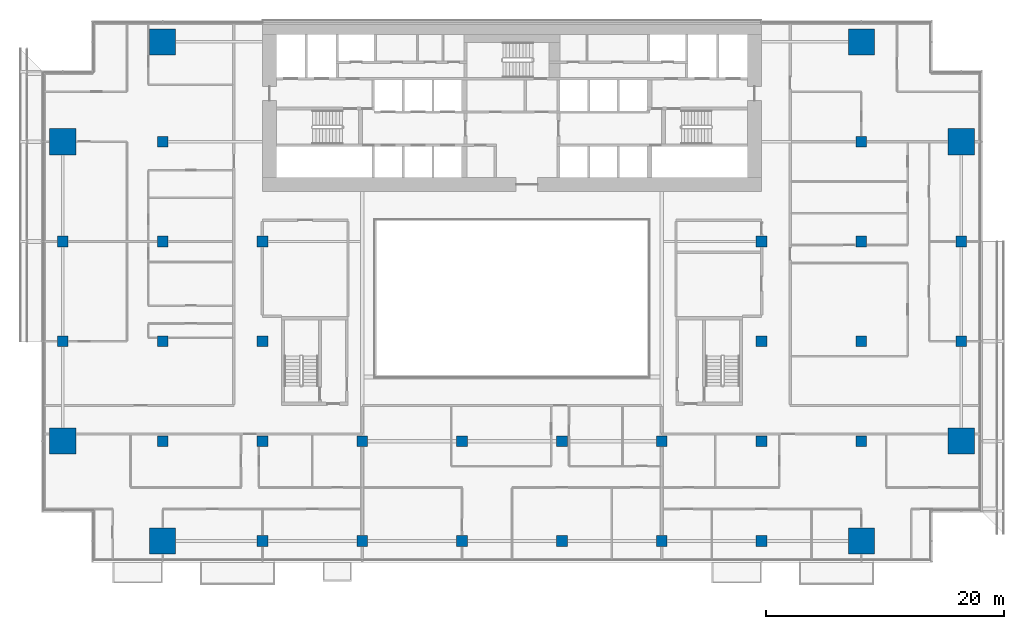
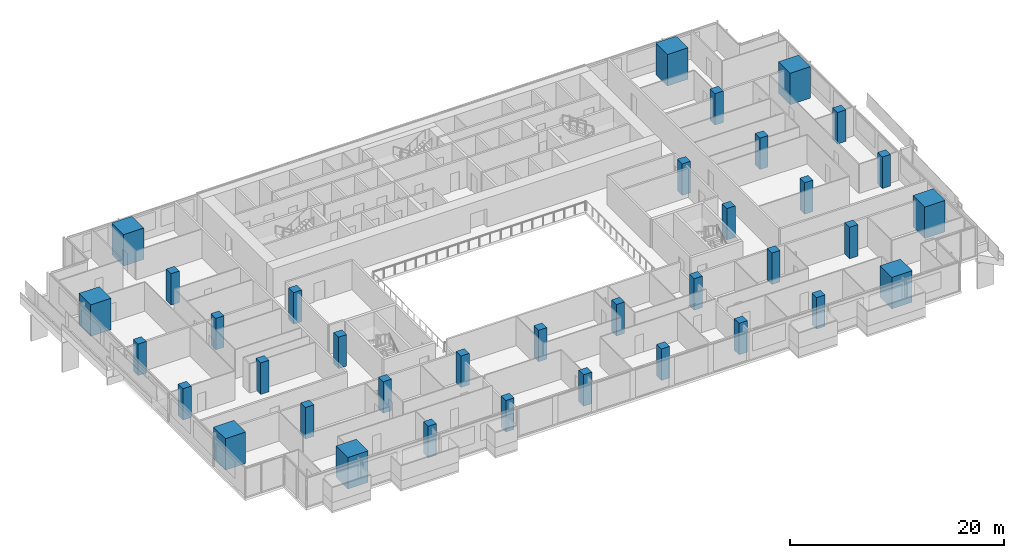
# One storey, part 1 of 28: 36 columns.
"""IFC4 building model written with IfcOpenShell, lengths in metres."""

from ifc_helpers import new_model, si_unit, direction, frame, origin, origin_2d, place, context, subcontext, project, spatial, rectangle, extrude, material, material_profile, profile_set, type_object, element, save


model = new_model("IFC4")

# Units and contexts
model_context = context("Model", 3, precision=1e-05, world=origin(), true_north=direction((0.0, 1.0)))
body_context = subcontext(model_context, "Body", "Model", "MODEL_VIEW")
ifc_project = project(units=[si_unit("LENGTHUNIT", "METRE"), si_unit("AREAUNIT", "SQUARE_METRE"), si_unit("VOLUMEUNIT", "CUBIC_METRE"), si_unit("PLANEANGLEUNIT", "RADIAN"), si_unit("MASSUNIT", "GRAM", prefix="KILO")], contexts=[model_context])

# Site, building, storey
site_placement = place(None, origin())
site = spatial("IfcSite", under=ifc_project, at=site_placement, CompositionType="ELEMENT")
building_placement = place(site_placement, origin())
building = spatial("IfcBuilding", under=site, at=building_placement, Name="Saffron Gate Tower", CompositionType="ELEMENT")
storey_placement = place(building_placement, frame((0.0, 0.0, 51.60009765625)))
storey = spatial("IfcBuildingStorey", under=building, at=storey_placement, Name="L11", CompositionType="ELEMENT", Elevation=51.60009765625)

# Columns
ifc_material_1 = material(Name="Concrete C60", Category="concrete")
ifc_material_profile_1 = material_profile(ifc_material_1, rectangle(XDim=0.89990234375, YDim=0.89990234375, at=origin_2d()))
ifc_profile_set_1 = profile_set([ifc_material_profile_1], Name="Concrete C60")
column_type_1 = type_object("IfcColumnType", Name="C6 RC 900x900 CONCRETE C60", PredefinedType="COLUMN", material=ifc_profile_set_1)
for number, where, z_axis, x_axis, name in (
    (1, (49.800048828125, 48.60009765625, 0.0), (0.0, 0.0, 1.0), (1.0, 0.0, 0.0), "C6 COLUMN X1-C"),
    (2, (49.800048828125, 57.0, 0.0), (0.0, 0.0, 1.0), (1.0, 0.0, 0.0), "C6 COLUMN X1-D"),
    (3, (58.199951171875, 40.199951171875, 0.0), (0.0, 0.0, 1.0), (1.0, 0.0, 0.0), "C6 COLUMN X2-B"),
    (4, (58.199951171875, 48.60009765625, 0.0), (0.0, 0.0, 1.0), (1.0, 0.0, 0.0), "C6 COLUMN X2-C"),
    (5, (58.199951171875, 57.0, 0.0), (0.0, 0.0, 1.0), (1.0, 0.0, 0.0), "C6 COLUMN X2-D"),
    (6, (58.199951171875, 65.39990234375, 0.0), (0.0, 0.0, 1.0), (1.0, 0.0, 0.0), "C6 COLUMN X2-E"),
    (7, (66.60009765625, 31.800048828125, 0.0), (0.0, 0.0, 1.0), (1.0, 0.0, 0.0), "C6 COLUMN X3-A"),
    (8, (66.60009765625, 40.199951171875, 0.0), (0.0, 0.0, 1.0), (1.0, 0.0, 0.0), "C6 COLUMN X3-B"),
    (9, (66.60009765625, 48.60009765625, 0.0), (0.0, 0.0, 1.0), (1.0, 0.0, 0.0), "C6 COLUMN X3-C"),
    (10, (66.60009765625, 57.0, 0.0), (0.0, 0.0, 1.0), (1.0, 0.0, 0.0), "C6 COLUMN X3-D"),
    (11, (75.0, 31.800048828125, 0.0), (0.0, 0.0, 1.0), (1.0, 0.0, 0.0), "C6 COLUMN X4-A"),
    (12, (75.0, 40.199951171875, 0.0), (0.0, 0.0, 1.0), (1.0, 0.0, 0.0), "C6 COLUMN X4-B"),
    (13, (83.39990234375, 31.800048828125, 0.0), (0.0, 0.0, 1.0), (1.0, 0.0, 0.0), "C6 COLUMN X5-A"),
    (14, (83.39990234375, 40.199951171875, 0.0), (0.0, 0.0, 1.0), (1.0, 0.0, 0.0), "C6 COLUMN X5-B"),
    (15, (91.800048828125, 31.800048828125, 0.0), (0.0, 0.0, 1.0), (1.0, 0.0, 0.0), "C6 COLUMN X6-A"),
    (16, (91.800048828125, 40.199951171875, 0.0), (0.0, 0.0, 1.0), (1.0, 0.0, 0.0), "C6 COLUMN X6-B"),
    (17, (100.199951171875, 31.800048828125, 0.0), (0.0, 0.0, 1.0), (1.0, 0.0, 0.0), "C6 COLUMN X7-A"),
    (18, (100.199951171875, 40.199951171875, 0.0), (0.0, 0.0, 1.0), (1.0, 0.0, 0.0), "C6 COLUMN X7-B"),
    (19, (108.60009765625, 31.800048828125, 0.0), (0.0, 0.0, 1.0), (1.0, 0.0, 0.0), "C6 COLUMN X8-A"),
    (20, (108.60009765625, 40.199951171875, 0.0), (0.0, 0.0, 1.0), (1.0, 0.0, 0.0), "C6 COLUMN X8-B"),
    (21, (108.60009765625, 48.60009765625, 0.0), (0.0, 0.0, 1.0), (1.0, 0.0, 0.0), "C6 COLUMN X8-C"),
    (22, (108.60009765625, 57.0, 0.0), (0.0, 0.0, 1.0), (1.0, 0.0, 0.0), "C6 COLUMN X8-D"),
    (23, (117.0, 40.199951171875, 0.0), (0.0, 0.0, 1.0), (1.0, 0.0, 0.0), "C6 COLUMN X9-B"),
    (24, (117.0, 48.60009765625, 0.0), (0.0, 0.0, 1.0), (1.0, 0.0, 0.0), "C6 COLUMN X9-C"),
    (25, (117.0, 57.0, 0.0), (0.0, 0.0, 1.0), (1.0, 0.0, 0.0), "C6 COLUMN X9-D"),
    (26, (117.0, 65.39990234375, 0.0), (0.0, 0.0, 1.0), (1.0, 0.0, 0.0), "C6 COLUMN X9-E"),
    (27, (125.39990234375, 48.60009765625, 0.0), (0.0, 0.0, 1.0), (1.0, 0.0, 0.0), "C6 COLUMN X10-C"),
    (28, (125.39990234375, 57.0, 0.0), (0.0, 0.0, 1.0), (1.0, 0.0, 0.0), "C6 COLUMN X10-D"),
):
    element("IfcColumn", number, at=place(storey_placement, frame(where, z_axis=z_axis, x_axis=x_axis)), inside=storey, type_object=column_type_1, Name=name, PredefinedType="COLUMN", context=body_context, shape_type="SweptSolid", body=[
        extrude(rectangle(XDim=0.89990234375, YDim=0.89990234375, at=origin_2d()), origin(), (0.0, 0.0, 1.0), 3.599853515625),
    ])
ifc_material_2 = material(Name="Concrete C80", Category="concrete")
ifc_material_profile_2 = material_profile(ifc_material_2, rectangle(XDim=2.199951171875, YDim=2.199951171875, at=origin_2d()))
ifc_profile_set_2 = profile_set([ifc_material_profile_2], Name="Concrete C80")
column_type_2 = type_object("IfcColumnType", Name="MC4 RC 2200x2200 CONCRETE C80", PredefinedType="COLUMN", material=ifc_profile_set_2)
for number, where, z_axis, x_axis, name in (
    (29, (49.800048828125, 40.199951171875, 0.0), (0.0, 0.0, 1.0), (1.0, 0.0, 0.0), "MC4 MEGA COLUMN X1-B"),
    (30, (49.800048828125, 65.39990234375, 0.0), (0.0, 0.0, 1.0), (1.0, 0.0, 0.0), "MC4 MEGA COLUMN X1-E"),
    (31, (58.199951171875, 31.800048828125, 0.0), (0.0, 0.0, 1.0), (1.0, 0.0, 0.0), "MC4 MEGA COLUMN X2-A"),
    (32, (58.199951171875, 73.800048828125, 0.0), (0.0, 0.0, 1.0), (1.0, 0.0, 0.0), "MC4 MEGA COLUMN X2-F"),
    (33, (117.0, 31.800048828125, 0.0), (0.0, 0.0, 1.0), (1.0, 0.0, 0.0), "MC4 MEGA COLUMN X9-A"),
    (34, (117.0, 73.800048828125, 0.0), (0.0, 0.0, 1.0), (1.0, 0.0, 0.0), "MC4 MEGA COLUMN X9-F"),
    (35, (125.39990234375, 40.199951171875, 0.0), (0.0, 0.0, 1.0), (1.0, 0.0, 0.0), "MC4 MEGA COLUMN X10-B"),
    (36, (125.39990234375, 65.39990234375, 0.0), (0.0, 0.0, 1.0), (1.0, 0.0, 0.0), "MC4 MEGA COLUMN X10-E"),
):
    element("IfcColumn", number, at=place(storey_placement, frame(where, z_axis=z_axis, x_axis=x_axis)), inside=storey, type_object=column_type_2, Name=name, PredefinedType="COLUMN", context=body_context, shape_type="SweptSolid", body=[
        extrude(rectangle(XDim=2.199951171875, YDim=2.199951171875, at=origin_2d()), origin(), (0.0, 0.0, 1.0), 3.599853515625),
    ])

save(model, "model.ifc")
